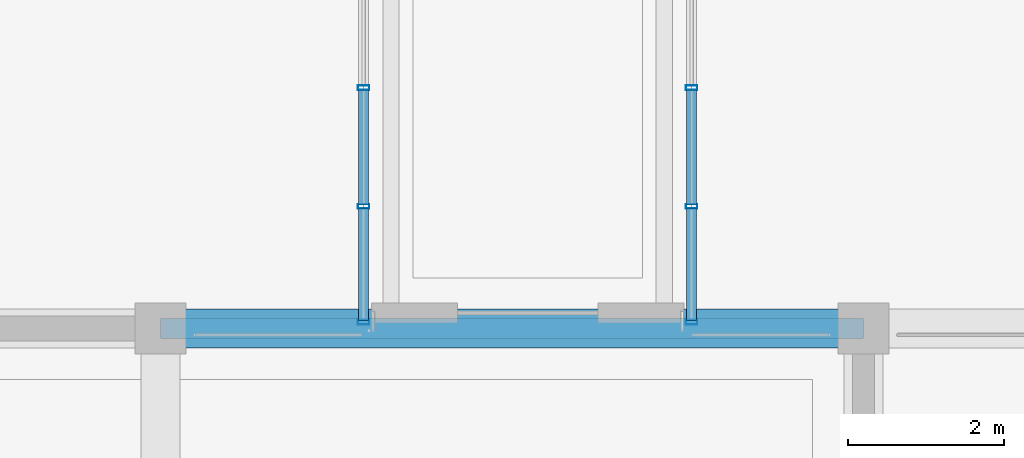
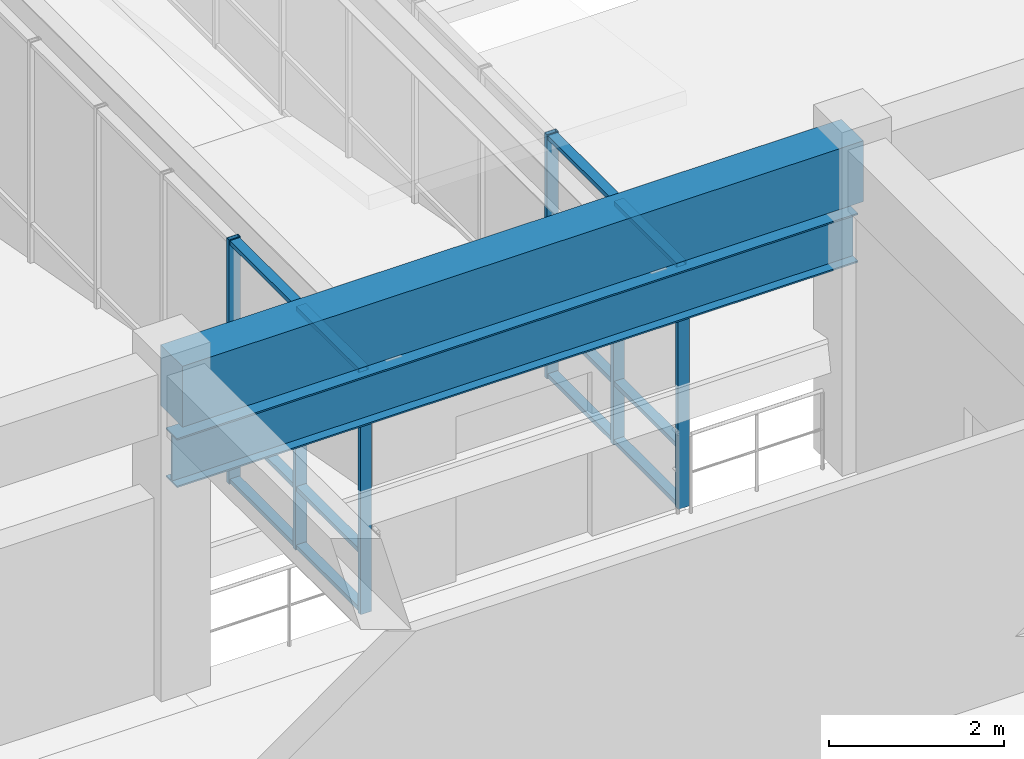
# One storey, part 13 of 104: 18 members, 2 beams, 2 elements without a shape of their own.
"""IFC4 building model written with IfcOpenShell, lengths in metres."""

import ifcopenshell
import ifcopenshell.guid

model = None  # the IFC model being written
_history = None  # IfcOwnerHistory: only IFC2X3 demands one
_inside = {}  # id of a spatial element -> (the spatial element, [elements in it])
_under = {}  # id of a project, library or spatial element -> (it, [spatial elements below it])
_declared = {}  # id of a project -> (the project, [libraries it declares])
_typed = {}  # id of a type object -> (the type object, [elements of that type])
_made_of = {}  # id of a material, layer set ... -> (it, [elements and type objects made of it])


def new_model(schema):
    """Start an empty IFC model of exactly this schema.

    Asked for "IFC4X3", IfcOpenShell would pick the latest addendum, in which some entities
    have other attributes; the version numbers below select the first issue.
    IFC2X3 requires an IfcOwnerHistory on every rooted entity: one is made here for all.
    """
    global model, _history
    if schema == "IFC4X3":
        model = ifcopenshell.file(schema_version=(4, 3, 0, 0))
    else:
        model = ifcopenshell.file(schema=schema)
    _inside.clear()
    _under.clear()
    _declared.clear()
    _typed.clear()
    _made_of.clear()
    _history = None
    if model.schema == "IFC2X3":
        org = make("IfcOrganization", Name="unknown")
        user = make(
            "IfcPersonAndOrganization",
            ThePerson=make("IfcPerson", FamilyName="unknown"),
            TheOrganization=org,
        )
        app = make(
            "IfcApplication",
            ApplicationDeveloper=org,
            Version="unknown",
            ApplicationFullName="unknown",
            ApplicationIdentifier="unknown",
        )
        _history = make(
            "IfcOwnerHistory",
            OwningUser=user,
            OwningApplication=app,
            ChangeAction="ADDED",
            CreationDate=0,
        )
    return model


def make(cls, **values):
    """One entity of the class cls with the attributes given. An attribute that is None is left unset."""
    return model.create_entity(
        cls, **{name: value for name, value in values.items() if value is not None}
    )


def rooted(cls, **values):
    """An entity with a GlobalId (a new one), such as an element, a storey or a relation."""
    return make(cls, GlobalId=ifcopenshell.guid.new(), OwnerHistory=_history, **values)


def si_unit(unit_type, name, prefix=None):
    """IfcSIUnit, for example si_unit("LENGTHUNIT", "METRE", prefix="MILLI")."""
    return make("IfcSIUnit", UnitType=unit_type, Prefix=prefix, Name=name)


def assignment(units):
    """IfcUnitAssignment: the units of a project."""
    return None if units is None else make("IfcUnitAssignment", Units=units)


def point(xyz):
    """IfcCartesianPoint."""
    return None if xyz is None else make("IfcCartesianPoint", Coordinates=xyz)


def direction(xyz):
    """IfcDirection."""
    return None if xyz is None else make("IfcDirection", DirectionRatios=xyz)


def frame(location, z_axis=None, x_axis=None):
    """IfcAxis2Placement3D, a coordinate frame: its origin and axes. An axis left out is left unset."""
    return make(
        "IfcAxis2Placement3D",
        Location=point(location),
        Axis=direction(z_axis),
        RefDirection=direction(x_axis),
    )


def frame_2d(location, x_axis=None):
    """IfcAxis2Placement2D, a coordinate frame in the plane: its origin and x axis."""
    return make(
        "IfcAxis2Placement2D", Location=point(location), RefDirection=direction(x_axis)
    )


def origin():
    """The frame at (0, 0, 0) with its axes left unset."""
    return frame((0.0, 0.0, 0.0))


def origin_2d():
    """The frame at (0, 0) in the plane with its x axis left unset."""
    return frame_2d((0.0, 0.0))


def place(relative_to, where):
    """IfcLocalPlacement: puts the frame where relative to a parent placement (None: the world)."""
    return make(
        "IfcLocalPlacement", PlacementRelTo=relative_to, RelativePlacement=where
    )


def context(
    kind, dimensions, precision=None, world=None, true_north=None, identifier=None
):
    """IfcGeometricRepresentationContext, for example the 3D "Model" context."""
    return make(
        "IfcGeometricRepresentationContext",
        ContextIdentifier=identifier,
        ContextType=kind,
        CoordinateSpaceDimension=dimensions,
        Precision=precision,
        WorldCoordinateSystem=world,
        TrueNorth=true_north,
    )


def subcontext(parent, identifier, kind, view, scale=None):
    """IfcGeometricRepresentationSubContext, for example "Body" below "Model"."""
    return make(
        "IfcGeometricRepresentationSubContext",
        ContextIdentifier=identifier,
        ContextType=kind,
        ParentContext=parent,
        TargetScale=scale,
        TargetView=view,
    )


def project(units=None, contexts=None):
    """IfcProject with its units and contexts."""
    return rooted(
        "IfcProject",
        Name="project",
        RepresentationContexts=contexts,
        UnitsInContext=assignment(units),
    )


def spatial(cls, under=None, at=None, **own):
    """A site, building, storey or space (cls), placed at a placement, below another one or the project."""
    s = rooted(cls, ObjectPlacement=at, **own)
    if under is not None:
        _under.setdefault(under.id(), (under, []))[1].append(s)
    return s


def profile(cls, at=None, kind="AREA", **sizes):
    """A parametric profile (cls). Its sizes go by their IFC names, for example OverallWidth=200.0."""
    return make(cls, ProfileType=kind, Position=at, **sizes)


def rectangle(**sizes):
    """IfcRectangleProfileDef."""
    return profile("IfcRectangleProfileDef", **sizes)


def hollow_rectangle(**sizes):
    """IfcRectangleHollowProfileDef."""
    return profile("IfcRectangleHollowProfileDef", **sizes)


def i_section(**sizes):
    """IfcIShapeProfileDef."""
    return profile("IfcIShapeProfileDef", **sizes)


def extrude(swept, where, along, depth):
    """IfcExtrudedAreaSolid: the profile swept, set in the frame where, extruded along a direction by depth."""
    return make(
        "IfcExtrudedAreaSolid",
        SweptArea=swept,
        Position=where,
        ExtrudedDirection=direction(along),
        Depth=depth,
    )


def shape(context_of_items, identifier, shape_type, items):
    """IfcShapeRepresentation: the items that make up one representation, for example the "Body"."""
    return make(
        "IfcShapeRepresentation",
        ContextOfItems=context_of_items,
        RepresentationIdentifier=identifier,
        RepresentationType=shape_type,
        Items=items,
    )


def material(Name=None, Category=None):
    """IfcMaterial."""
    return make("IfcMaterial", Name=Name, Category=Category)


def layer(
    of_material, thickness, ventilated=None, Name=None, Category=None, Priority=None
):
    """IfcMaterialLayer: one layer of a wall or slab, of a material (None: an air gap)."""
    return make(
        "IfcMaterialLayer",
        Material=of_material,
        LayerThickness=thickness,
        IsVentilated=ventilated,
        Name=Name,
        Category=Category,
        Priority=Priority,
    )


def layer_set(layers, Name=None):
    """IfcMaterialLayerSet."""
    return make("IfcMaterialLayerSet", MaterialLayers=layers, LayerSetName=Name)


def material_profile(
    of_material, cross_section, Name=None, Category=None, Priority=None
):
    """IfcMaterialProfile: a cross section and its material."""
    return make(
        "IfcMaterialProfile",
        Name=Name,
        Material=of_material,
        Profile=cross_section,
        Priority=Priority,
        Category=Category,
    )


def profile_set(profiles, Name=None, composite=None):
    """IfcMaterialProfileSet."""
    return make(
        "IfcMaterialProfileSet",
        Name=Name,
        MaterialProfiles=profiles,
        CompositeProfile=composite,
    )


def made_of(thing, what):
    """Note that an element or type object is made of a material, layer set ...; save() writes the relation."""
    if what is not None:
        _made_of.setdefault(what.id(), (what, []))[1].append(thing)
    return thing


def type_object(cls, material=None, **own):
    """A type object (cls), such as IfcWallType, which elements share."""
    return made_of(rooted(cls, **own), material)


def element(
    cls,
    number,
    at=None,
    inside=None,
    cuts=None,
    type_object=None,
    material=None,
    context=None,
    identifier="Body",
    shape_type=None,
    held_by="IfcProductDefinitionShape",
    body=None,
    shapes=None,
    **own,
):
    """One element of the class cls, such as IfcWall. Its Tag is "e" and its number.

    at: its placement. inside: the storey or other place that contains it. cuts: it is an
    opening in that element (IfcRelVoidsElement). A single representation is given by context,
    identifier, shape_type and body (its items); several are given by shapes. held_by: the class
    of the entity that holds the representations. save() writes the other relations.
    """
    e = rooted(cls, Tag="e%d" % number, ObjectPlacement=at, **own)
    if body is not None:
        shapes = [shape(context, identifier, shape_type, body)]
    if shapes is not None:
        e.Representation = make(held_by, Representations=shapes)
    if inside is not None:
        _inside.setdefault(inside.id(), (inside, []))[1].append(e)
    if cuts is not None:
        rooted(
            "IfcRelVoidsElement", RelatingBuildingElement=cuts, RelatedOpeningElement=e
        )
    if type_object is not None:
        _typed.setdefault(type_object.id(), (type_object, []))[1].append(e)
    return made_of(e, material)


def aggregate(whole, parts):
    """IfcRelAggregates: a whole, such as a stair, and the parts it consists of."""
    return rooted("IfcRelAggregates", RelatingObject=whole, RelatedObjects=parts)


def save(model, path):
    """Write the relations noted so far, then the file.

    IfcRelAggregates (storeys below a building ...), IfcRelContainedInSpatialStructure (elements
    in a storey), IfcRelDefinesByType, IfcRelAssociatesMaterial and IfcRelDeclares: one each for
    every whole, place, type object, material and project.
    """
    for whole, parts in _under.values():
        aggregate(whole, parts)
    for where, things in _inside.values():
        rooted(
            "IfcRelContainedInSpatialStructure",
            RelatedElements=things,
            RelatingStructure=where,
        )
    for kind, things in _typed.values():
        rooted("IfcRelDefinesByType", RelatedObjects=things, RelatingType=kind)
    for what, things in _made_of.values():
        rooted("IfcRelAssociatesMaterial", RelatedObjects=things, RelatingMaterial=what)
    for by, libraries in _declared.values():
        rooted("IfcRelDeclares", RelatingContext=by, RelatedDefinitions=libraries)
    model.write(path)


model = new_model("IFC4")

# Units and contexts
model_context = context("Model", 3, precision=1e-05, world=origin(), true_north=direction((0.0, 1.0)))
body_context = subcontext(model_context, "Body", "Model", "MODEL_VIEW")
ifc_project = project(units=[si_unit("LENGTHUNIT", "METRE"), si_unit("AREAUNIT", "SQUARE_METRE"), si_unit("VOLUMEUNIT", "CUBIC_METRE"), si_unit("PLANEANGLEUNIT", "RADIAN"), si_unit("MASSUNIT", "GRAM", prefix="KILO")], contexts=[model_context])

# Site, building, storey
site_placement = place(None, origin())
site = spatial("IfcSite", under=ifc_project, at=site_placement, CompositionType="ELEMENT")
building_placement = place(site_placement, origin())
building = spatial("IfcBuilding", under=site, at=building_placement, Name="Ventoquebrada Cableway Terminal", CompositionType="ELEMENT")
storey_placement = place(building_placement, frame((0.0, 0.0, 4.800048828125)))
storey = spatial("IfcBuildingStorey", under=building, at=storey_placement, Name="L01", CompositionType="ELEMENT", Elevation=4.800048828125)

# Beams
ifc_material_1 = material(Name="Concrete C40/50", Category="concrete")
ifc_material_profile_1 = material_profile(ifc_material_1, rectangle(XDim=0.5, YDim=0.85009765625, at=origin_2d()), Name="RC-BM-500X850")
ifc_profile_set_1 = profile_set([ifc_material_profile_1], Name="Concrete C40/50")
beam_type_1 = type_object("IfcBeamType", Name="BM-RC04", PredefinedType="BEAM", material=ifc_profile_set_1)
beam_1_placement = place(storey_placement, frame((17.199951171875, 47.0, 4.10498046875), z_axis=(1.0, 0.0, 0.0), x_axis=(0.0, 1.0, 0.0)))
element("IfcBeam", 1, at=beam_1_placement, inside=storey, type_object=beam_type_1, Name="Primary frame girder FBM-0170", PredefinedType="BEAM", context=body_context, shape_type="SweptSolid", body=[
    extrude(rectangle(XDim=0.5, YDim=0.85009765625, at=origin_2d()), origin(), (0.0, 0.0, 1.0), 9.0),
])
ifc_material_2 = material(Name="Steel ASTM A992 Grade 50", Category="steel")
ifc_material_profile_2 = material_profile(ifc_material_2, i_section(OverallWidth=0.25390625, OverallDepth=0.68798828125, WebThickness=0.01318359375, FlangeThickness=0.02099609375, at=origin_2d()), Name="W27X102")
ifc_profile_set_2 = profile_set([ifc_material_profile_2], Name="Steel ASTM A992 Grade 50")
beam_type_2 = type_object("IfcBeamType", Name="BM-ST04", PredefinedType="BEAM", material=ifc_profile_set_2)
beam_2_placement = place(storey_placement, frame((17.199951171875, 47.0, 3.100830078125), z_axis=(1.0, 0.0, 0.0), x_axis=(0.0, 1.0, 0.0)))
element("IfcBeam", 2, at=beam_2_placement, inside=storey, type_object=beam_type_2, Name="Bridge roof support girder LP-1 FBM-1101", PredefinedType="BEAM", context=body_context, shape_type="SweptSolid", body=[
    extrude(i_section(OverallWidth=0.25390625, OverallDepth=0.68798828125, WebThickness=0.01318359375, FlangeThickness=0.02099609375, at=origin_2d()), origin(), (0.0, 0.0, 1.0), 9.0),
])

# Curtain wall, members
ifc_material_3 = material(Name="Anodized thermally-broken aluminium", Category="aluminium")
ifc_layer = layer(ifc_material_3, 0.159912109375)
ifc_layer_set = layer_set([ifc_layer], Name="Anodized thermally-broken aluminium")
curtain_wall_type = type_object("IfcCurtainWallType", Name="CW-T51", PredefinedType="USERDEFINED", material=ifc_layer_set)
curtain_wall_1_placement = place(storey_placement, origin())
curtain_wall_1 = element("IfcCurtainWall", 3, at=curtain_wall_1_placement, inside=storey, type_object=curtain_wall_type, Name="Unitised glazed curtain wall CW-169", ObjectType="UNITISED CURTAIN WALL", PredefinedType="USERDEFINED")
ifc_material_profile_3 = material_profile(ifc_material_3, hollow_rectangle(XDim=0.06005859375, YDim=0.14990234375, WallThickness=0.00390625, at=origin_2d()), Name="CW-MUL-60X150")
ifc_profile_set_3 = profile_set([ifc_material_profile_3], Name="Anodized thermally-broken aluminium")
member_type_1 = type_object("IfcMemberType", Name="CWM-03", PredefinedType="MULLION", material=ifc_profile_set_3)
member_1_placement = place(storey_placement, frame((19.800048828125, 47.080078125, -0.008056640625), z_axis=(0.0, 0.0, 1.0), x_axis=(0.0, 1.0, 0.0)))
member_1 = element("IfcMember", 4, at=member_1_placement, type_object=member_type_1, Name="Curtain wall mullion FML-0818", PredefinedType="MULLION", context=body_context, shape_type="SweptSolid", body=[
    extrude(hollow_rectangle(XDim=0.06005859375, YDim=0.14990234375, WallThickness=0.00390625, at=origin_2d()), origin(), (0.0, 0.0, 1.0), 3.4130859375),
])
member_2_placement = place(storey_placement, frame((19.800048828125, 48.56396484375, -0.008056640625), z_axis=(0.0, 0.0, 1.0), x_axis=(0.0, 1.0, 0.0)))
member_2 = element("IfcMember", 5, at=member_2_placement, type_object=member_type_1, Name="Curtain wall mullion FML-0819", PredefinedType="MULLION", context=body_context, shape_type="SweptSolid", body=[
    extrude(hollow_rectangle(XDim=0.06005859375, YDim=0.14990234375, WallThickness=0.00390625, at=origin_2d()), origin(), (0.0, 0.0, 1.0), 3.4130859375),
])
member_3_placement = place(storey_placement, frame((19.800048828125, 50.0830078125, -0.008056640625), z_axis=(0.0, 0.0, 1.0), x_axis=(0.0, 1.0, 0.0)))
member_3 = element("IfcMember", 6, at=member_3_placement, type_object=member_type_1, Name="Curtain wall mullion FML-0820", PredefinedType="MULLION", context=body_context, shape_type="SweptSolid", body=[
    extrude(hollow_rectangle(XDim=0.06005859375, YDim=0.14990234375, WallThickness=0.00390625, at=origin_2d()), origin(), (0.0, 0.0, 1.0), 3.4130859375),
])

curtain_wall_2_placement = place(storey_placement, origin())
curtain_wall_2 = element("IfcCurtainWall", 7, at=curtain_wall_2_placement, inside=storey, type_object=curtain_wall_type, Name="Unitised glazed curtain wall CW-170", ObjectType="UNITISED CURTAIN WALL", PredefinedType="USERDEFINED")
member_4_placement = place(storey_placement, frame((24.0, 50.0830078125, -0.008056640625), z_axis=(0.0, 0.0, 1.0), x_axis=(0.0, -1.0, 0.0)))
member_4 = element("IfcMember", 8, at=member_4_placement, type_object=member_type_1, Name="Curtain wall mullion FML-0839", PredefinedType="MULLION", context=body_context, shape_type="SweptSolid", body=[
    extrude(hollow_rectangle(XDim=0.06005859375, YDim=0.14990234375, WallThickness=0.00390625, at=origin_2d()), origin(), (0.0, 0.0, 1.0), 3.4130859375),
])
member_5_placement = place(storey_placement, frame((24.0, 48.56396484375, -0.008056640625), z_axis=(0.0, 0.0, 1.0), x_axis=(0.0, -1.0, 0.0)))
member_5 = element("IfcMember", 9, at=member_5_placement, type_object=member_type_1, Name="Curtain wall mullion FML-0840", PredefinedType="MULLION", context=body_context, shape_type="SweptSolid", body=[
    extrude(hollow_rectangle(XDim=0.06005859375, YDim=0.14990234375, WallThickness=0.00390625, at=origin_2d()), origin(), (0.0, 0.0, 1.0), 3.4130859375),
])
member_6_placement = place(storey_placement, frame((24.0, 47.080078125, -0.008056640625), z_axis=(0.0, 0.0, 1.0), x_axis=(0.0, -1.0, 0.0)))
member_6 = element("IfcMember", 10, at=member_6_placement, type_object=member_type_1, Name="Curtain wall mullion FML-0841", PredefinedType="MULLION", context=body_context, shape_type="SweptSolid", body=[
    extrude(hollow_rectangle(XDim=0.06005859375, YDim=0.14990234375, WallThickness=0.00390625, at=origin_2d()), origin(), (0.0, 0.0, 1.0), 3.4130859375),
])

# Member
ifc_material_profile_4 = material_profile(ifc_material_3, hollow_rectangle(XDim=0.06005859375, YDim=0.1298828125, WallThickness=0.00390625, at=origin_2d()), Name="CW-TRN-60X130")
ifc_profile_set_4 = profile_set([ifc_material_profile_4], Name="Anodized thermally-broken aluminium")
member_type_2 = type_object("IfcMemberType", Name="CWT-02", PredefinedType="USERDEFINED", material=ifc_profile_set_4)
member_7_placement = place(storey_placement, frame((19.800048828125, 47.10498046875, 0.034912109375), z_axis=(0.0, 1.0, 0.0), x_axis=(0.0, 0.0, 1.0)))
member_7 = element("IfcMember", 11, at=member_7_placement, type_object=member_type_2, Name="Curtain wall transom FTR-2396", ObjectType="TRANSOM", PredefinedType="USERDEFINED", context=body_context, shape_type="SweptSolid", body=[
    extrude(hollow_rectangle(XDim=0.06005859375, YDim=0.1298828125, WallThickness=0.00390625, at=origin_2d()), origin(), (0.0, 0.0, 1.0), 1.43408203125),
])

member_8_placement = place(storey_placement, frame((19.800048828125, 47.10498046875, 0.849853515625), z_axis=(0.0, 1.0, 0.0), x_axis=(0.0, 0.0, 1.0)))
member_8 = element("IfcMember", 12, at=member_8_placement, type_object=member_type_2, Name="Curtain wall transom FTR-2397", ObjectType="TRANSOM", PredefinedType="USERDEFINED", context=body_context, shape_type="SweptSolid", body=[
    extrude(hollow_rectangle(XDim=0.06005859375, YDim=0.1298828125, WallThickness=0.00390625, at=origin_2d()), origin(), (0.0, 0.0, 1.0), 1.43408203125),
])

member_9_placement = place(storey_placement, frame((19.800048828125, 47.10498046875, 3.364990234375), z_axis=(0.0, 1.0, 0.0), x_axis=(0.0, 0.0, 1.0)))
member_9 = element("IfcMember", 13, at=member_9_placement, type_object=member_type_2, Name="Curtain wall transom FTR-2398", ObjectType="TRANSOM", PredefinedType="USERDEFINED", context=body_context, shape_type="SweptSolid", body=[
    extrude(hollow_rectangle(XDim=0.06005859375, YDim=0.1298828125, WallThickness=0.00390625, at=origin_2d()), origin(), (0.0, 0.0, 1.0), 1.43408203125),
])

member_10_placement = place(storey_placement, frame((19.800048828125, 48.589111328125, 0.034912109375), z_axis=(0.0, 1.0, 0.0), x_axis=(0.0, 0.0, 1.0)))
member_10 = element("IfcMember", 14, at=member_10_placement, type_object=member_type_2, Name="Curtain wall transom FTR-2399", ObjectType="TRANSOM", PredefinedType="USERDEFINED", context=body_context, shape_type="SweptSolid", body=[
    extrude(hollow_rectangle(XDim=0.06005859375, YDim=0.1298828125, WallThickness=0.00390625, at=origin_2d()), origin(), (0.0, 0.0, 1.0), 1.468994140625),
])

member_11_placement = place(storey_placement, frame((19.800048828125, 48.589111328125, 0.849853515625), z_axis=(0.0, 1.0, 0.0), x_axis=(0.0, 0.0, 1.0)))
member_11 = element("IfcMember", 15, at=member_11_placement, type_object=member_type_2, Name="Curtain wall transom FTR-2400", ObjectType="TRANSOM", PredefinedType="USERDEFINED", context=body_context, shape_type="SweptSolid", body=[
    extrude(hollow_rectangle(XDim=0.06005859375, YDim=0.1298828125, WallThickness=0.00390625, at=origin_2d()), origin(), (0.0, 0.0, 1.0), 1.468994140625),
])

member_12_placement = place(storey_placement, frame((19.800048828125, 48.589111328125, 3.364990234375), z_axis=(0.0, 1.0, 0.0), x_axis=(0.0, 0.0, 1.0)))
member_12 = element("IfcMember", 16, at=member_12_placement, type_object=member_type_2, Name="Curtain wall transom FTR-2401", ObjectType="TRANSOM", PredefinedType="USERDEFINED", context=body_context, shape_type="SweptSolid", body=[
    extrude(hollow_rectangle(XDim=0.06005859375, YDim=0.1298828125, WallThickness=0.00390625, at=origin_2d()), origin(), (0.0, 0.0, 1.0), 1.468994140625),
])

aggregate(curtain_wall_1, [member_1, member_2, member_3, member_7, member_8, member_9, member_10, member_11, member_12])

member_13_placement = place(storey_placement, frame((24.0, 50.05810546875, 0.034912109375), z_axis=(0.0, -1.0, 0.0), x_axis=(0.0, 0.0, 1.0)))
member_13 = element("IfcMember", 17, at=member_13_placement, type_object=member_type_2, Name="Curtain wall transom FTR-2456", ObjectType="TRANSOM", PredefinedType="USERDEFINED", context=body_context, shape_type="SweptSolid", body=[
    extrude(hollow_rectangle(XDim=0.06005859375, YDim=0.1298828125, WallThickness=0.00390625, at=origin_2d()), origin(), (0.0, 0.0, 1.0), 1.468994140625),
])

member_14_placement = place(storey_placement, frame((24.0, 50.05810546875, 0.849853515625), z_axis=(0.0, -1.0, 0.0), x_axis=(0.0, 0.0, 1.0)))
member_14 = element("IfcMember", 18, at=member_14_placement, type_object=member_type_2, Name="Curtain wall transom FTR-2457", ObjectType="TRANSOM", PredefinedType="USERDEFINED", context=body_context, shape_type="SweptSolid", body=[
    extrude(hollow_rectangle(XDim=0.06005859375, YDim=0.1298828125, WallThickness=0.00390625, at=origin_2d()), origin(), (0.0, 0.0, 1.0), 1.468994140625),
])

member_15_placement = place(storey_placement, frame((24.0, 50.05810546875, 3.364990234375), z_axis=(0.0, -1.0, 0.0), x_axis=(0.0, 0.0, 1.0)))
member_15 = element("IfcMember", 19, at=member_15_placement, type_object=member_type_2, Name="Curtain wall transom FTR-2458", ObjectType="TRANSOM", PredefinedType="USERDEFINED", context=body_context, shape_type="SweptSolid", body=[
    extrude(hollow_rectangle(XDim=0.06005859375, YDim=0.1298828125, WallThickness=0.00390625, at=origin_2d()), origin(), (0.0, 0.0, 1.0), 1.468994140625),
])

member_16_placement = place(storey_placement, frame((24.0, 48.5390625, 0.034912109375), z_axis=(0.0, -1.0, 0.0), x_axis=(0.0, 0.0, 1.0)))
member_16 = element("IfcMember", 20, at=member_16_placement, type_object=member_type_2, Name="Curtain wall transom FTR-2459", ObjectType="TRANSOM", PredefinedType="USERDEFINED", context=body_context, shape_type="SweptSolid", body=[
    extrude(hollow_rectangle(XDim=0.06005859375, YDim=0.1298828125, WallThickness=0.00390625, at=origin_2d()), origin(), (0.0, 0.0, 1.0), 1.43408203125),
])

member_17_placement = place(storey_placement, frame((24.0, 48.5390625, 0.849853515625), z_axis=(0.0, -1.0, 0.0), x_axis=(0.0, 0.0, 1.0)))
member_17 = element("IfcMember", 21, at=member_17_placement, type_object=member_type_2, Name="Curtain wall transom FTR-2460", ObjectType="TRANSOM", PredefinedType="USERDEFINED", context=body_context, shape_type="SweptSolid", body=[
    extrude(hollow_rectangle(XDim=0.06005859375, YDim=0.1298828125, WallThickness=0.00390625, at=origin_2d()), origin(), (0.0, 0.0, 1.0), 1.43408203125),
])

member_18_placement = place(storey_placement, frame((24.0, 48.5390625, 3.364990234375), z_axis=(0.0, -1.0, 0.0), x_axis=(0.0, 0.0, 1.0)))
member_18 = element("IfcMember", 22, at=member_18_placement, type_object=member_type_2, Name="Curtain wall transom FTR-2461", ObjectType="TRANSOM", PredefinedType="USERDEFINED", context=body_context, shape_type="SweptSolid", body=[
    extrude(hollow_rectangle(XDim=0.06005859375, YDim=0.1298828125, WallThickness=0.00390625, at=origin_2d()), origin(), (0.0, 0.0, 1.0), 1.43408203125),
])

aggregate(curtain_wall_2, [member_4, member_5, member_6, member_13, member_14, member_15, member_16, member_17, member_18])

save(model, "model.ifc")
